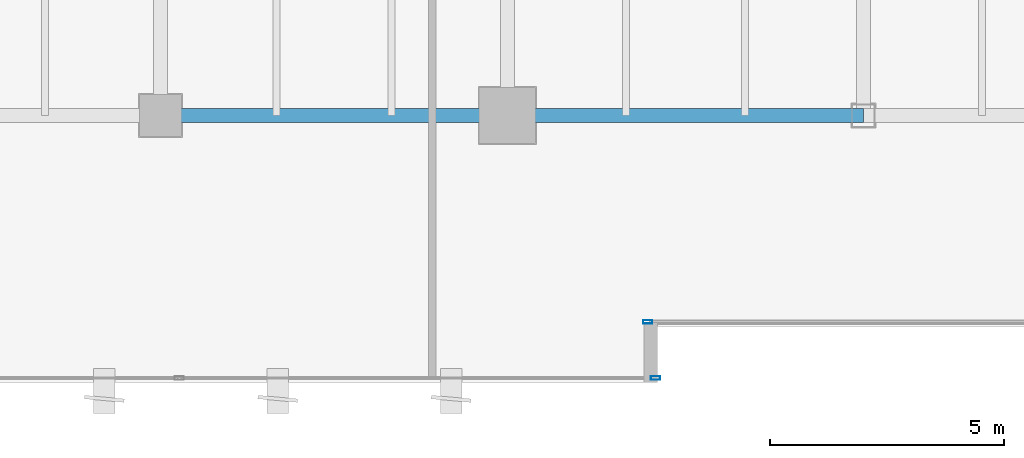
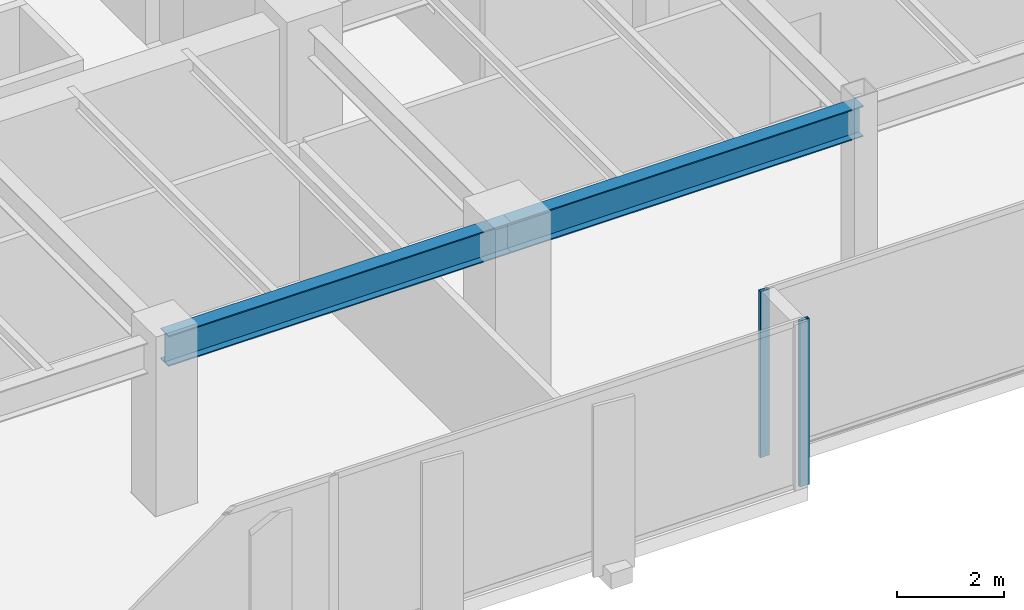
# One storey, part 4 of 34: 2 beams, 2 members, 2 elements without a shape of their own.
"""IFC4 building model written with IfcOpenShell, lengths in metres."""

from ifc_helpers import new_model, si_unit, direction, frame, origin, origin_2d, place, context, subcontext, project, spatial, hollow_rectangle, i_section, extrude, source, transform, mapped, material, layer, layer_set, material_profile, profile_set, type_object, type_shapes, element, aggregate, save


model = new_model("IFC4")

# Units and contexts
model_context = context("Model", 3, precision=1e-05, world=origin(), true_north=direction((0.0, 1.0)))
body_context = subcontext(model_context, "Body", "Model", "MODEL_VIEW")
ifc_project = project(units=[si_unit("LENGTHUNIT", "METRE"), si_unit("AREAUNIT", "SQUARE_METRE"), si_unit("VOLUMEUNIT", "CUBIC_METRE"), si_unit("PLANEANGLEUNIT", "RADIAN"), si_unit("MASSUNIT", "GRAM", prefix="KILO")], contexts=[model_context])

# Site, building, storey
site_placement = place(None, origin())
site = spatial("IfcSite", under=ifc_project, at=site_placement, CompositionType="ELEMENT")
building_placement = place(site_placement, origin())
building = spatial("IfcBuilding", under=site, at=building_placement, Name="Haelvirn Gate Laboratories", CompositionType="ELEMENT")
storey_placement = place(building_placement, frame((0.0, 0.0, 109.199951171875)))
storey = spatial("IfcBuildingStorey", under=building, at=storey_placement, Name="L26", CompositionType="ELEMENT", Elevation=109.199951171875)

# Beams
ifc_material_1 = material(Name="Steel SM355", Category="steel")
ifc_material_profile_1 = material_profile(ifc_material_1, i_section(OverallWidth=0.300048828125, OverallDepth=0.699951171875, WebThickness=0.012939453125, FlangeThickness=0.02392578125, at=origin_2d()), Name="H-700x300x13x24")
ifc_profile_set_1 = profile_set([ifc_material_profile_1], Name="Steel SM355")
beam_type = type_object("IfcBeamType", Name="BM-G-700", PredefinedType="BEAM", material=ifc_profile_set_1)
shared_shape_1 = source(origin(), body_context, "Body", "SweptSolid", [
    extrude(i_section(OverallWidth=0.300048828125, OverallDepth=0.699951171875, WebThickness=0.012939453125, FlangeThickness=0.02392578125, at=origin_2d()), origin(), (0.0, 0.0, 1.0), 7.39990234375),
])
beam_1_placement = place(storey_placement, frame((14.800048828125, 7.0, 3.43994140625), z_axis=(1.0, 0.0, 0.0), x_axis=(0.0, 1.0, 0.0)))
element("IfcBeam", 1, at=beam_1_placement, inside=storey, type_object=beam_type, Name="L26 Primary Girder Y7.0 (14.8-22.2)", PredefinedType="BEAM", context=body_context, shape_type="MappedRepresentation", body=[
    mapped(shared_shape_1, transform((0.0, 0.0, 0.0), scale=1.0)),
])
shared_shape_2 = source(origin(), body_context, "Body", "SweptSolid", [
    extrude(i_section(OverallWidth=0.300048828125, OverallDepth=0.699951171875, WebThickness=0.012939453125, FlangeThickness=0.02392578125, at=origin_2d()), origin(), (0.0, 0.0, 1.0), 7.60009765625),
])
type_shapes(beam_type, [shared_shape_1, shared_shape_2])
beam_2_placement = place(storey_placement, frame((22.199951171875, 7.0, 3.43994140625), z_axis=(1.0, 0.0, 0.0), x_axis=(0.0, 1.0, 0.0)))
element("IfcBeam", 2, at=beam_2_placement, inside=storey, type_object=beam_type, Name="L26 Primary Girder Y7.0 (22.2-29.8)", PredefinedType="BEAM", context=body_context, shape_type="MappedRepresentation", body=[
    mapped(shared_shape_2, transform((0.0, 0.0, 0.0), scale=1.0)),
])

# Curtain wall, member
ifc_material_2 = material(Name="Anodised bronze unitised aluminium & triple low-E glass", Category="aluminium")
ifc_layer = layer(ifc_material_2, 0.179931640625, Name="CW-SYS-3")
ifc_layer_set = layer_set([ifc_layer], Name="Anodised bronze unitised aluminium & triple low-E glass")
curtain_wall_type = type_object("IfcCurtainWallType", Name="CW-SYS-3", PredefinedType="NOTDEFINED", material=ifc_layer_set)
curtain_wall_1_placement = place(storey_placement, origin())
curtain_wall_1 = element("IfcCurtainWall", 3, at=curtain_wall_1_placement, inside=storey, type_object=curtain_wall_type, Name="L26 Unitised Curtain Wall CW-L26-P0-E00-1", PredefinedType="NOTDEFINED")
ifc_material_3 = material(Name="Extruded aluminium 6063-T6 (anodised bronze)", Category="aluminium")
ifc_material_profile_2 = material_profile(ifc_material_3, hollow_rectangle(XDim=0.074951171875, YDim=0.199951171875, WallThickness=0.0048828125, at=origin_2d()), Name="CWM-200x75x5")
ifc_profile_set_2 = profile_set([ifc_material_profile_2], Name="Extruded aluminium 6063-T6 (anodised bronze)")
member_type = type_object("IfcMemberType", Name="CWM-T200", PredefinedType="MULLION", material=ifc_profile_set_2)
shared_shape_3 = source(origin(), body_context, "Body", "SweptSolid", [
    extrude(hollow_rectangle(XDim=0.074951171875, YDim=0.199951171875, WallThickness=0.0048828125, at=origin_2d()), origin(), (0.0, 0.0, 1.0), 3.7900390625),
])
type_shapes(member_type, [shared_shape_3])
member_1_placement = place(storey_placement, frame((25.362548828125, 1.39990234375, 0.0), z_axis=(0.0, 0.0, 1.0), x_axis=(0.0, 1.0, 0.0)))
member_1 = element("IfcMember", 4, at=member_1_placement, type_object=member_type, Name="CW3 mullion 3", PredefinedType="MULLION", context=body_context, shape_type="MappedRepresentation", body=[
    mapped(shared_shape_3, transform((0.0, 0.0, 0.0), scale=1.0)),
])
aggregate(curtain_wall_1, [member_1])

curtain_wall_2_placement = place(storey_placement, origin())
curtain_wall_2 = element("IfcCurtainWall", 5, at=curtain_wall_2_placement, inside=storey, type_object=curtain_wall_type, Name="L26 Unitised Curtain Wall CW-L26-P0-E02-1", PredefinedType="NOTDEFINED")
member_2_placement = place(storey_placement, frame((25.197509765625, 2.60009765625, 0.0), z_axis=(0.0, 0.0, 1.0), x_axis=(0.0, 1.0, 0.0)))
member_2 = element("IfcMember", 6, at=member_2_placement, type_object=member_type, Name="CW3 mullion 1", PredefinedType="MULLION", context=body_context, shape_type="MappedRepresentation", body=[
    mapped(shared_shape_3, transform((0.0, 0.0, 0.0), scale=1.0)),
])
aggregate(curtain_wall_2, [member_2])

save(model, "model.ifc")
